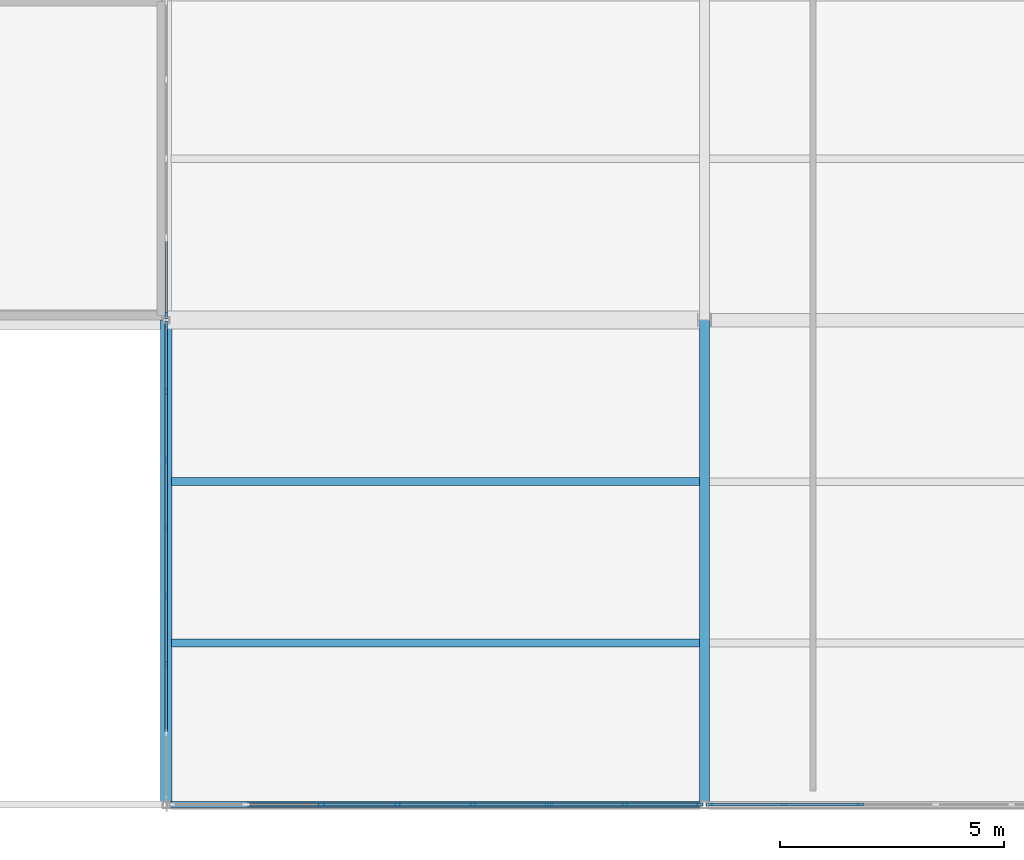
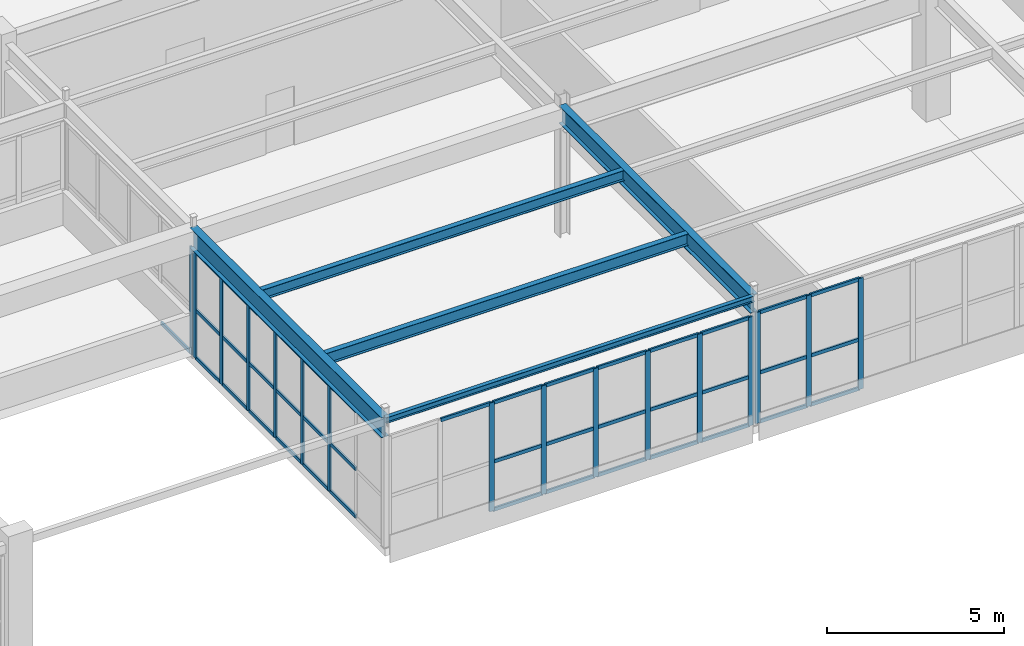
# One storey, part 106 of 226: 57 members, 5 beams, 4 elements without a shape of their own.
"""IFC4 building model written with IfcOpenShell, lengths in metres."""

from ifc_helpers import new_model, si_unit, direction, frame, origin, origin_2d, place, context, subcontext, project, spatial, rectangle, i_section, extrude, material, layer, layer_set, material_profile, profile_set, type_object, element, aggregate, save


model = new_model("IFC4")

# Units and contexts
model_context = context("Model", 3, precision=1e-05, world=origin(), true_north=direction((0.0, 1.0)))
body_context = subcontext(model_context, "Body", "Model", "MODEL_VIEW")
ifc_project = project(units=[si_unit("LENGTHUNIT", "METRE"), si_unit("AREAUNIT", "SQUARE_METRE"), si_unit("VOLUMEUNIT", "CUBIC_METRE"), si_unit("PLANEANGLEUNIT", "RADIAN"), si_unit("MASSUNIT", "GRAM", prefix="KILO")], contexts=[model_context])

# Site, building, storey
site_placement = place(None, origin())
site = spatial("IfcSite", under=ifc_project, at=site_placement, CompositionType="ELEMENT")
building_placement = place(site_placement, origin())
building = spatial("IfcBuilding", under=site, at=building_placement, Name="Tarnwether General Hospital", CompositionType="ELEMENT")
storey_placement = place(building_placement, frame((0.0, 0.0, 4.800048828125)))
storey = spatial("IfcBuildingStorey", under=building, at=storey_placement, Name="L01", CompositionType="ELEMENT", Elevation=4.800048828125)

# Beams
ifc_material_1 = material(Name="Steel Grade 350 (350 MPa)", Category="steel")
ifc_material_profile_1 = material_profile(ifc_material_1, i_section(OverallWidth=0.25, OverallDepth=0.69189453125, WebThickness=0.009033203125, FlangeThickness=0.01611328125, at=origin_2d()), Name="700WB115")
ifc_profile_set_1 = profile_set([ifc_material_profile_1], Name="Steel Grade 350 (350 MPa)")
beam_type_1 = type_object("IfcBeamType", Name="BM-G02", PredefinedType="BEAM", material=ifc_profile_set_1)
beam_1_placement = place(storey_placement, frame((144.0, 0.0, 4.098876953125), z_axis=(0.0, 1.0, 0.0), x_axis=(-1.0, 0.0, 0.0)))
element("IfcBeam", 1, at=beam_1_placement, inside=storey, type_object=beam_type_1, Name="Primary Girder BMG-L01-14400_0-14400_1080-1211", PredefinedType="BEAM", context=body_context, shape_type="SweptSolid", body=[
    extrude(i_section(OverallWidth=0.25, OverallDepth=0.69189453125, WebThickness=0.009033203125, FlangeThickness=0.01611328125, at=origin_2d()), origin(), (0.0, 0.0, 1.0), 10.800048828125),
])
ifc_material_2 = material(Name="Steel Grade 350 (350 MPa)", Category="steel")
ifc_material_profile_2 = material_profile(ifc_material_2, i_section(OverallWidth=0.22900390625, OverallDepth=0.612060546875, WebThickness=0.011962890625, FlangeThickness=0.01953125, at=origin_2d()), Name="610UB125")
ifc_profile_set_2 = profile_set([ifc_material_profile_2], Name="Steel Grade 350 (350 MPa)")
beam_type_2 = type_object("IfcBeamType", Name="BM-G03", PredefinedType="BEAM", material=ifc_profile_set_2)
beam_2_placement = place(storey_placement, frame((156.0, 0.0, 4.138916015625), z_axis=(0.0, 1.0, 0.0), x_axis=(-1.0, 0.0, 0.0)))
element("IfcBeam", 2, at=beam_2_placement, inside=storey, type_object=beam_type_2, Name="Primary Girder BMG-L01-15600_0-15600_1080-1232", PredefinedType="BEAM", context=body_context, shape_type="SweptSolid", body=[
    extrude(i_section(OverallWidth=0.22900390625, OverallDepth=0.612060546875, WebThickness=0.011962890625, FlangeThickness=0.01953125, at=origin_2d()), origin(), (0.0, 0.0, 1.0), 10.800048828125),
])
ifc_material_3 = material(Name="Steel Grade 350 (350 MPa)", Category="steel")
ifc_material_profile_3 = material_profile(ifc_material_3, i_section(OverallWidth=0.177978515625, OverallDepth=0.403076171875, WebThickness=0.007568359375, FlangeThickness=0.010986328125, at=origin_2d()), Name="410UB53.7")
ifc_profile_set_3 = profile_set([ifc_material_profile_3], Name="Steel Grade 350 (350 MPa)")
beam_type_3 = type_object("IfcBeamType", Name="BM-J02", PredefinedType="JOIST", material=ifc_profile_set_3)
beam_3_placement = place(storey_placement, frame((144.118896484375, 3.60009765625, 4.243408203125), z_axis=(1.0, 0.0, 0.0), x_axis=(0.0, 1.0, 0.0)))
element("IfcBeam", 3, at=beam_3_placement, inside=storey, type_object=beam_type_3, Name="Composite Floor Joist BMG-L01-14412_360-15589_360-1385", PredefinedType="JOIST", context=body_context, shape_type="SweptSolid", body=[
    extrude(i_section(OverallWidth=0.177978515625, OverallDepth=0.403076171875, WebThickness=0.007568359375, FlangeThickness=0.010986328125, at=origin_2d()), origin(), (0.0, 0.0, 1.0), 11.773193359375),
])
ifc_material_4 = material(Name="Steel Grade 350 (350 MPa)", Category="steel")
ifc_material_profile_4 = material_profile(ifc_material_4, i_section(OverallWidth=0.172119140625, OverallDepth=0.35888671875, WebThickness=0.008056640625, FlangeThickness=0.012939453125, at=origin_2d()), Name="360UB56.7")
ifc_profile_set_4 = profile_set([ifc_material_profile_4], Name="Steel Grade 350 (350 MPa)")
beam_type_4 = type_object("IfcBeamType", Name="BM-J03", PredefinedType="JOIST", material=ifc_profile_set_4)
beam_4_placement = place(storey_placement, frame((144.118896484375, 7.199951171875, 4.265380859375), z_axis=(1.0, 0.0, 0.0), x_axis=(0.0, 1.0, 0.0)))
element("IfcBeam", 4, at=beam_4_placement, inside=storey, type_object=beam_type_4, Name="Composite Floor Joist BMG-L01-14412_720-15589_720-1386", PredefinedType="JOIST", context=body_context, shape_type="SweptSolid", body=[
    extrude(i_section(OverallWidth=0.172119140625, OverallDepth=0.35888671875, WebThickness=0.008056640625, FlangeThickness=0.012939453125, at=origin_2d()), origin(), (0.0, 0.0, 1.0), 11.773193359375),
])
ifc_material_5 = material(Name="Steel Grade 350 (350 MPa)", Category="steel")
ifc_material_profile_5 = material_profile(ifc_material_5, i_section(OverallWidth=0.133056640625, OverallDepth=0.202880859375, WebThickness=0.005859375, FlangeThickness=0.0078125, at=origin_2d()), Name="200UB25.4")
ifc_profile_set_5 = profile_set([ifc_material_profile_5], Name="Steel Grade 350 (350 MPa)")
beam_type_5 = type_object("IfcBeamType", Name="BM-SP5", PredefinedType="SPANDREL", material=ifc_profile_set_5)
beam_5_placement = place(storey_placement, frame((144.0, 0.0, 4.343505859375), z_axis=(1.0, 0.0, 0.0), x_axis=(0.0, 1.0, 0.0)))
element("IfcBeam", 5, at=beam_5_placement, inside=storey, type_object=beam_type_5, Name="Primary Girder BMG-L01-14400_0-15600_0-1210", PredefinedType="SPANDREL", context=body_context, shape_type="SweptSolid", body=[
    extrude(i_section(OverallWidth=0.133056640625, OverallDepth=0.202880859375, WebThickness=0.005859375, FlangeThickness=0.0078125, at=origin_2d()), origin(), (0.0, 0.0, 1.0), 12.0),
])

# Curtain wall, members
ifc_material_6 = material(Name="Anodised aluminium", Category="aluminium")
ifc_layer_1 = layer(ifc_material_6, 0.159912109375)
ifc_layer_set_1 = layer_set([ifc_layer_1], Name="Anodised aluminium")
curtain_wall_type_1 = type_object("IfcCurtainWallType", Name="CW-15", PredefinedType="NOTDEFINED", material=ifc_layer_set_1)
curtain_wall_1_placement = place(storey_placement, origin())
curtain_wall_1 = element("IfcCurtainWall", 6, at=curtain_wall_1_placement, inside=storey, type_object=curtain_wall_type_1, Name="Curtain Wall CWG-L01-1440_1-0363", PredefinedType="NOTDEFINED")
ifc_material_7 = material(Name="Anodised aluminium", Category="aluminium")
ifc_material_profile_6 = material_profile(ifc_material_7, rectangle(XDim=0.06005859375, YDim=0.159912109375, at=origin_2d()), Name="ALU-MUL-60x160")
ifc_profile_set_6 = profile_set([ifc_material_profile_6], Name="Anodised aluminium")
member_type_1 = type_object("IfcMemberType", Name="CW-ML1", PredefinedType="MULLION", material=ifc_profile_set_6)
member_1_placement = place(storey_placement, frame((144.0, 3.125, 0.0), z_axis=(0.0, 0.0, 1.0), x_axis=(-1.0, 0.0, 0.0)))
member_1 = element("IfcMember", 7, at=member_1_placement, type_object=member_type_1, Name="CW-15 mullion 3", PredefinedType="MULLION", context=body_context, shape_type="SweptSolid", body=[
    extrude(rectangle(XDim=0.06005859375, YDim=0.159912109375, at=origin_2d()), origin(), (0.0, 0.0, 1.0), 3.679931640625),
])
member_2_placement = place(storey_placement, frame((144.0, 4.64599609375, 0.0), z_axis=(0.0, 0.0, 1.0), x_axis=(-1.0, 0.0, 0.0)))
member_2 = element("IfcMember", 8, at=member_2_placement, type_object=member_type_1, Name="CW-15 mullion 4", PredefinedType="MULLION", context=body_context, shape_type="SweptSolid", body=[
    extrude(rectangle(XDim=0.06005859375, YDim=0.159912109375, at=origin_2d()), origin(), (0.0, 0.0, 1.0), 3.679931640625),
])
member_3_placement = place(storey_placement, frame((144.0, 6.1669921875, 0.0), z_axis=(0.0, 0.0, 1.0), x_axis=(-1.0, 0.0, 0.0)))
member_3 = element("IfcMember", 9, at=member_3_placement, type_object=member_type_1, Name="CW-15 mullion 5", PredefinedType="MULLION", context=body_context, shape_type="SweptSolid", body=[
    extrude(rectangle(XDim=0.06005859375, YDim=0.159912109375, at=origin_2d()), origin(), (0.0, 0.0, 1.0), 3.679931640625),
])
member_4_placement = place(storey_placement, frame((144.0, 7.68798828125, 0.0), z_axis=(0.0, 0.0, 1.0), x_axis=(-1.0, 0.0, 0.0)))
member_4 = element("IfcMember", 10, at=member_4_placement, type_object=member_type_1, Name="CW-15 mullion 6", PredefinedType="MULLION", context=body_context, shape_type="SweptSolid", body=[
    extrude(rectangle(XDim=0.06005859375, YDim=0.159912109375, at=origin_2d()), origin(), (0.0, 0.0, 1.0), 3.679931640625),
])
member_5_placement = place(storey_placement, frame((144.0, 9.208984375, 0.0), z_axis=(0.0, 0.0, 1.0), x_axis=(-1.0, 0.0, 0.0)))
member_5 = element("IfcMember", 11, at=member_5_placement, type_object=member_type_1, Name="CW-15 mullion 7", PredefinedType="MULLION", context=body_context, shape_type="SweptSolid", body=[
    extrude(rectangle(XDim=0.06005859375, YDim=0.159912109375, at=origin_2d()), origin(), (0.0, 0.0, 1.0), 3.679931640625),
])
member_6_placement = place(storey_placement, frame((144.0, 10.699951171875, 0.0), z_axis=(0.0, 0.0, 1.0), x_axis=(-1.0, 0.0, 0.0)))
member_6 = element("IfcMember", 12, at=member_6_placement, type_object=member_type_1, Name="CW-15 mullion 8", PredefinedType="MULLION", context=body_context, shape_type="SweptSolid", body=[
    extrude(rectangle(XDim=0.06005859375, YDim=0.159912109375, at=origin_2d()), origin(), (0.0, 0.0, 1.0), 3.679931640625),
])

# Curtain wall, member
curtain_wall_2_placement = place(storey_placement, origin())
curtain_wall_2 = element("IfcCurtainWall", 13, at=curtain_wall_2_placement, inside=storey, type_object=curtain_wall_type_1, Name="Curtain Wall CWG-L01-1440_109-0364", PredefinedType="NOTDEFINED")
member_7_placement = place(storey_placement, frame((144.0, 10.89990234375, 0.0), z_axis=(0.0, 0.0, 1.0), x_axis=(-1.0, 0.0, 0.0)))
member_7 = element("IfcMember", 14, at=member_7_placement, type_object=member_type_1, Name="CW-15 mullion 1", PredefinedType="MULLION", context=body_context, shape_type="SweptSolid", body=[
    extrude(rectangle(XDim=0.06005859375, YDim=0.159912109375, at=origin_2d()), origin(), (0.0, 0.0, 1.0), 3.679931640625),
])

# Curtain wall, members
ifc_material_8 = material(Name="Anodised aluminium", Category="aluminium")
ifc_layer_2 = layer(ifc_material_8, 0.159912109375)
ifc_layer_set_2 = layer_set([ifc_layer_2], Name="Anodised aluminium")
curtain_wall_type_2 = type_object("IfcCurtainWallType", Name="CW-19", PredefinedType="NOTDEFINED", material=ifc_layer_set_2)
curtain_wall_3_placement = place(storey_placement, origin())
curtain_wall_3 = element("IfcCurtainWall", 15, at=curtain_wall_3_placement, inside=storey, type_object=curtain_wall_type_2, Name="Curtain Wall CWG-L01-1679_0-0385", PredefinedType="NOTDEFINED")
member_8_placement = place(storey_placement, frame((159.4638671875, 0.0, 0.0), z_axis=(0.0, 0.0, 1.0), x_axis=(0.0, -1.0, 0.0)))
member_8 = element("IfcMember", 16, at=member_8_placement, type_object=member_type_1, Name="CW-19 mullion 6", PredefinedType="MULLION", context=body_context, shape_type="SweptSolid", body=[
    extrude(rectangle(XDim=0.06005859375, YDim=0.159912109375, at=origin_2d()), origin(), (0.0, 0.0, 1.0), 3.81787109375),
])
member_9_placement = place(storey_placement, frame((157.7734375, 0.0, 0.0), z_axis=(0.0, 0.0, 1.0), x_axis=(0.0, -1.0, 0.0)))
member_9 = element("IfcMember", 17, at=member_9_placement, type_object=member_type_1, Name="CW-19 mullion 7", PredefinedType="MULLION", context=body_context, shape_type="SweptSolid", body=[
    extrude(rectangle(XDim=0.06005859375, YDim=0.159912109375, at=origin_2d()), origin(), (0.0, 0.0, 1.0), 3.81787109375),
])
member_10_placement = place(storey_placement, frame((156.113037109375, 0.0, 0.0), z_axis=(0.0, 0.0, 1.0), x_axis=(0.0, -1.0, 0.0)))
member_10 = element("IfcMember", 18, at=member_10_placement, type_object=member_type_1, Name="CW-19 mullion 8", PredefinedType="MULLION", context=body_context, shape_type="SweptSolid", body=[
    extrude(rectangle(XDim=0.06005859375, YDim=0.159912109375, at=origin_2d()), origin(), (0.0, 0.0, 1.0), 3.81787109375),
])

curtain_wall_4_placement = place(storey_placement, origin())
curtain_wall_4 = element("IfcCurtainWall", 19, at=curtain_wall_4_placement, inside=storey, type_object=curtain_wall_type_2, Name="Curtain Wall CWG-L01-1559_0-0386", PredefinedType="NOTDEFINED")
member_11_placement = place(storey_placement, frame((155.886962890625, 0.0, 0.0), z_axis=(0.0, 0.0, 1.0), x_axis=(0.0, -1.0, 0.0)))
member_11 = element("IfcMember", 20, at=member_11_placement, type_object=member_type_1, Name="CW-19 mullion 1", PredefinedType="MULLION", context=body_context, shape_type="SweptSolid", body=[
    extrude(rectangle(XDim=0.06005859375, YDim=0.159912109375, at=origin_2d()), origin(), (0.0, 0.0, 1.0), 3.738037109375),
])
member_12_placement = place(storey_placement, frame((154.226318359375, 0.0, 0.0), z_axis=(0.0, 0.0, 1.0), x_axis=(0.0, -1.0, 0.0)))
member_12 = element("IfcMember", 21, at=member_12_placement, type_object=member_type_1, Name="CW-19 mullion 2", PredefinedType="MULLION", context=body_context, shape_type="SweptSolid", body=[
    extrude(rectangle(XDim=0.06005859375, YDim=0.159912109375, at=origin_2d()), origin(), (0.0, 0.0, 1.0), 3.738037109375),
])
member_13_placement = place(storey_placement, frame((152.535888671875, 0.0, 0.0), z_axis=(0.0, 0.0, 1.0), x_axis=(0.0, -1.0, 0.0)))
member_13 = element("IfcMember", 22, at=member_13_placement, type_object=member_type_1, Name="CW-19 mullion 3", PredefinedType="MULLION", context=body_context, shape_type="SweptSolid", body=[
    extrude(rectangle(XDim=0.06005859375, YDim=0.159912109375, at=origin_2d()), origin(), (0.0, 0.0, 1.0), 3.738037109375),
])
member_14_placement = place(storey_placement, frame((150.84521484375, 0.0, 0.0), z_axis=(0.0, 0.0, 1.0), x_axis=(0.0, -1.0, 0.0)))
member_14 = element("IfcMember", 23, at=member_14_placement, type_object=member_type_1, Name="CW-19 mullion 4", PredefinedType="MULLION", context=body_context, shape_type="SweptSolid", body=[
    extrude(rectangle(XDim=0.06005859375, YDim=0.159912109375, at=origin_2d()), origin(), (0.0, 0.0, 1.0), 3.738037109375),
])
member_15_placement = place(storey_placement, frame((149.15478515625, 0.0, 0.0), z_axis=(0.0, 0.0, 1.0), x_axis=(0.0, -1.0, 0.0)))
member_15 = element("IfcMember", 24, at=member_15_placement, type_object=member_type_1, Name="CW-19 mullion 5", PredefinedType="MULLION", context=body_context, shape_type="SweptSolid", body=[
    extrude(rectangle(XDim=0.06005859375, YDim=0.159912109375, at=origin_2d()), origin(), (0.0, 0.0, 1.0), 3.738037109375),
])
member_16_placement = place(storey_placement, frame((147.464111328125, 0.0, 0.0), z_axis=(0.0, 0.0, 1.0), x_axis=(0.0, -1.0, 0.0)))
member_16 = element("IfcMember", 25, at=member_16_placement, type_object=member_type_1, Name="CW-19 mullion 6", PredefinedType="MULLION", context=body_context, shape_type="SweptSolid", body=[
    extrude(rectangle(XDim=0.06005859375, YDim=0.159912109375, at=origin_2d()), origin(), (0.0, 0.0, 1.0), 3.738037109375),
])

# Member
ifc_material_9 = material(Name="Anodised aluminium", Category="aluminium")
ifc_material_profile_7 = material_profile(ifc_material_9, rectangle(XDim=0.06005859375, YDim=0.1201171875, at=origin_2d()), Name="ALU-TRN-60x120")
ifc_profile_set_7 = profile_set([ifc_material_profile_7], Name="Anodised aluminium")
member_type_2 = type_object("IfcMemberType", Name="CW-TR1", PredefinedType="USERDEFINED", material=ifc_profile_set_7)
member_17_placement = place(storey_placement, frame((144.0, 1.634033203125, 0.030029296875), z_axis=(0.0, 1.0, 0.0), x_axis=(-1.0, 0.0, 0.0)))
member_17 = element("IfcMember", 26, at=member_17_placement, type_object=member_type_2, Name="CW-15 transom 2.1", ObjectType="TRANSOM", PredefinedType="USERDEFINED", context=body_context, shape_type="SweptSolid", body=[
    extrude(rectangle(XDim=0.06005859375, YDim=0.1201171875, at=origin_2d()), origin(), (0.0, 0.0, 1.0), 1.4609375),
])

member_18_placement = place(storey_placement, frame((144.0, 1.634033203125, 1.656005859375), z_axis=(0.0, 1.0, 0.0), x_axis=(-1.0, 0.0, 0.0)))
member_18 = element("IfcMember", 27, at=member_18_placement, type_object=member_type_2, Name="CW-15 transom 2.2", ObjectType="TRANSOM", PredefinedType="USERDEFINED", context=body_context, shape_type="SweptSolid", body=[
    extrude(rectangle(XDim=0.06005859375, YDim=0.1201171875, at=origin_2d()), origin(), (0.0, 0.0, 1.0), 1.4609375),
])

member_19_placement = place(storey_placement, frame((144.0, 1.634033203125, 3.64990234375), z_axis=(0.0, 1.0, 0.0), x_axis=(-1.0, 0.0, 0.0)))
member_19 = element("IfcMember", 28, at=member_19_placement, type_object=member_type_2, Name="CW-15 transom 2.3", ObjectType="TRANSOM", PredefinedType="USERDEFINED", context=body_context, shape_type="SweptSolid", body=[
    extrude(rectangle(XDim=0.06005859375, YDim=0.1201171875, at=origin_2d()), origin(), (0.0, 0.0, 1.0), 1.4609375),
])

member_20_placement = place(storey_placement, frame((144.0, 3.155029296875, 0.030029296875), z_axis=(0.0, 1.0, 0.0), x_axis=(-1.0, 0.0, 0.0)))
member_20 = element("IfcMember", 29, at=member_20_placement, type_object=member_type_2, Name="CW-15 transom 3.1", ObjectType="TRANSOM", PredefinedType="USERDEFINED", context=body_context, shape_type="SweptSolid", body=[
    extrude(rectangle(XDim=0.06005859375, YDim=0.1201171875, at=origin_2d()), origin(), (0.0, 0.0, 1.0), 1.4609375),
])

member_21_placement = place(storey_placement, frame((144.0, 3.155029296875, 1.656005859375), z_axis=(0.0, 1.0, 0.0), x_axis=(-1.0, 0.0, 0.0)))
member_21 = element("IfcMember", 30, at=member_21_placement, type_object=member_type_2, Name="CW-15 transom 3.2", ObjectType="TRANSOM", PredefinedType="USERDEFINED", context=body_context, shape_type="SweptSolid", body=[
    extrude(rectangle(XDim=0.06005859375, YDim=0.1201171875, at=origin_2d()), origin(), (0.0, 0.0, 1.0), 1.4609375),
])

member_22_placement = place(storey_placement, frame((144.0, 3.155029296875, 3.64990234375), z_axis=(0.0, 1.0, 0.0), x_axis=(-1.0, 0.0, 0.0)))
member_22 = element("IfcMember", 31, at=member_22_placement, type_object=member_type_2, Name="CW-15 transom 3.3", ObjectType="TRANSOM", PredefinedType="USERDEFINED", context=body_context, shape_type="SweptSolid", body=[
    extrude(rectangle(XDim=0.06005859375, YDim=0.1201171875, at=origin_2d()), origin(), (0.0, 0.0, 1.0), 1.4609375),
])

member_23_placement = place(storey_placement, frame((144.0, 4.676025390625, 0.030029296875), z_axis=(0.0, 1.0, 0.0), x_axis=(-1.0, 0.0, 0.0)))
member_23 = element("IfcMember", 32, at=member_23_placement, type_object=member_type_2, Name="CW-15 transom 4.1", ObjectType="TRANSOM", PredefinedType="USERDEFINED", context=body_context, shape_type="SweptSolid", body=[
    extrude(rectangle(XDim=0.06005859375, YDim=0.1201171875, at=origin_2d()), origin(), (0.0, 0.0, 1.0), 1.4609375),
])

member_24_placement = place(storey_placement, frame((144.0, 4.676025390625, 1.656005859375), z_axis=(0.0, 1.0, 0.0), x_axis=(-1.0, 0.0, 0.0)))
member_24 = element("IfcMember", 33, at=member_24_placement, type_object=member_type_2, Name="CW-15 transom 4.2", ObjectType="TRANSOM", PredefinedType="USERDEFINED", context=body_context, shape_type="SweptSolid", body=[
    extrude(rectangle(XDim=0.06005859375, YDim=0.1201171875, at=origin_2d()), origin(), (0.0, 0.0, 1.0), 1.4609375),
])

member_25_placement = place(storey_placement, frame((144.0, 4.676025390625, 3.64990234375), z_axis=(0.0, 1.0, 0.0), x_axis=(-1.0, 0.0, 0.0)))
member_25 = element("IfcMember", 34, at=member_25_placement, type_object=member_type_2, Name="CW-15 transom 4.3", ObjectType="TRANSOM", PredefinedType="USERDEFINED", context=body_context, shape_type="SweptSolid", body=[
    extrude(rectangle(XDim=0.06005859375, YDim=0.1201171875, at=origin_2d()), origin(), (0.0, 0.0, 1.0), 1.4609375),
])

member_26_placement = place(storey_placement, frame((144.0, 6.197021484375, 0.030029296875), z_axis=(0.0, 1.0, 0.0), x_axis=(-1.0, 0.0, 0.0)))
member_26 = element("IfcMember", 35, at=member_26_placement, type_object=member_type_2, Name="CW-15 transom 5.1", ObjectType="TRANSOM", PredefinedType="USERDEFINED", context=body_context, shape_type="SweptSolid", body=[
    extrude(rectangle(XDim=0.06005859375, YDim=0.1201171875, at=origin_2d()), origin(), (0.0, 0.0, 1.0), 1.4609375),
])

member_27_placement = place(storey_placement, frame((144.0, 6.197021484375, 1.656005859375), z_axis=(0.0, 1.0, 0.0), x_axis=(-1.0, 0.0, 0.0)))
member_27 = element("IfcMember", 36, at=member_27_placement, type_object=member_type_2, Name="CW-15 transom 5.2", ObjectType="TRANSOM", PredefinedType="USERDEFINED", context=body_context, shape_type="SweptSolid", body=[
    extrude(rectangle(XDim=0.06005859375, YDim=0.1201171875, at=origin_2d()), origin(), (0.0, 0.0, 1.0), 1.4609375),
])

member_28_placement = place(storey_placement, frame((144.0, 6.197021484375, 3.64990234375), z_axis=(0.0, 1.0, 0.0), x_axis=(-1.0, 0.0, 0.0)))
member_28 = element("IfcMember", 37, at=member_28_placement, type_object=member_type_2, Name="CW-15 transom 5.3", ObjectType="TRANSOM", PredefinedType="USERDEFINED", context=body_context, shape_type="SweptSolid", body=[
    extrude(rectangle(XDim=0.06005859375, YDim=0.1201171875, at=origin_2d()), origin(), (0.0, 0.0, 1.0), 1.4609375),
])

member_29_placement = place(storey_placement, frame((144.0, 7.718017578125, 0.030029296875), z_axis=(0.0, 1.0, 0.0), x_axis=(-1.0, 0.0, 0.0)))
member_29 = element("IfcMember", 38, at=member_29_placement, type_object=member_type_2, Name="CW-15 transom 6.1", ObjectType="TRANSOM", PredefinedType="USERDEFINED", context=body_context, shape_type="SweptSolid", body=[
    extrude(rectangle(XDim=0.06005859375, YDim=0.1201171875, at=origin_2d()), origin(), (0.0, 0.0, 1.0), 1.4609375),
])

member_30_placement = place(storey_placement, frame((144.0, 7.718017578125, 1.656005859375), z_axis=(0.0, 1.0, 0.0), x_axis=(-1.0, 0.0, 0.0)))
member_30 = element("IfcMember", 39, at=member_30_placement, type_object=member_type_2, Name="CW-15 transom 6.2", ObjectType="TRANSOM", PredefinedType="USERDEFINED", context=body_context, shape_type="SweptSolid", body=[
    extrude(rectangle(XDim=0.06005859375, YDim=0.1201171875, at=origin_2d()), origin(), (0.0, 0.0, 1.0), 1.4609375),
])

member_31_placement = place(storey_placement, frame((144.0, 7.718017578125, 3.64990234375), z_axis=(0.0, 1.0, 0.0), x_axis=(-1.0, 0.0, 0.0)))
member_31 = element("IfcMember", 40, at=member_31_placement, type_object=member_type_2, Name="CW-15 transom 6.3", ObjectType="TRANSOM", PredefinedType="USERDEFINED", context=body_context, shape_type="SweptSolid", body=[
    extrude(rectangle(XDim=0.06005859375, YDim=0.1201171875, at=origin_2d()), origin(), (0.0, 0.0, 1.0), 1.4609375),
])

member_32_placement = place(storey_placement, frame((144.0, 9.239013671875, 0.030029296875), z_axis=(0.0, 1.0, 0.0), x_axis=(-1.0, 0.0, 0.0)))
member_32 = element("IfcMember", 41, at=member_32_placement, type_object=member_type_2, Name="CW-15 transom 7.1", ObjectType="TRANSOM", PredefinedType="USERDEFINED", context=body_context, shape_type="SweptSolid", body=[
    extrude(rectangle(XDim=0.06005859375, YDim=0.1201171875, at=origin_2d()), origin(), (0.0, 0.0, 1.0), 1.430908203125),
])

member_33_placement = place(storey_placement, frame((144.0, 9.239013671875, 1.656005859375), z_axis=(0.0, 1.0, 0.0), x_axis=(-1.0, 0.0, 0.0)))
member_33 = element("IfcMember", 42, at=member_33_placement, type_object=member_type_2, Name="CW-15 transom 7.2", ObjectType="TRANSOM", PredefinedType="USERDEFINED", context=body_context, shape_type="SweptSolid", body=[
    extrude(rectangle(XDim=0.06005859375, YDim=0.1201171875, at=origin_2d()), origin(), (0.0, 0.0, 1.0), 1.430908203125),
])

member_34_placement = place(storey_placement, frame((144.0, 9.239013671875, 3.64990234375), z_axis=(0.0, 1.0, 0.0), x_axis=(-1.0, 0.0, 0.0)))
member_34 = element("IfcMember", 43, at=member_34_placement, type_object=member_type_2, Name="CW-15 transom 7.3", ObjectType="TRANSOM", PredefinedType="USERDEFINED", context=body_context, shape_type="SweptSolid", body=[
    extrude(rectangle(XDim=0.06005859375, YDim=0.1201171875, at=origin_2d()), origin(), (0.0, 0.0, 1.0), 1.430908203125),
])

aggregate(curtain_wall_1, [member_1, member_2, member_3, member_4, member_5, member_6, member_17, member_18, member_19, member_20, member_21, member_22, member_23, member_24, member_25, member_26, member_27, member_28, member_29, member_30, member_31, member_32, member_33, member_34])

member_35_placement = place(storey_placement, frame((144.0, 10.929931640625, 0.030029296875), z_axis=(0.0, 1.0, 0.0), x_axis=(-1.0, 0.0, 0.0)))
member_35 = element("IfcMember", 44, at=member_35_placement, type_object=member_type_2, Name="CW-15 transom 1.1", ObjectType="TRANSOM", PredefinedType="USERDEFINED", context=body_context, shape_type="SweptSolid", body=[
    extrude(rectangle(XDim=0.06005859375, YDim=0.1201171875, at=origin_2d()), origin(), (0.0, 0.0, 1.0), 1.675048828125),
])

aggregate(curtain_wall_2, [member_7, member_35])

member_36_placement = place(storey_placement, frame((159.433837890625, 0.0, 0.030029296875), z_axis=(-1.0, 0.0, 0.0), x_axis=(0.0, -1.0, 0.0)))
member_36 = element("IfcMember", 45, at=member_36_placement, type_object=member_type_2, Name="CW-19 transom 6.1", ObjectType="TRANSOM", PredefinedType="USERDEFINED", context=body_context, shape_type="SweptSolid", body=[
    extrude(rectangle(XDim=0.06005859375, YDim=0.1201171875, at=origin_2d()), origin(), (0.0, 0.0, 1.0), 1.63037109375),
])

member_37_placement = place(storey_placement, frame((159.433837890625, 0.0, 1.718017578125), z_axis=(-1.0, 0.0, 0.0), x_axis=(0.0, -1.0, 0.0)))
member_37 = element("IfcMember", 46, at=member_37_placement, type_object=member_type_2, Name="CW-19 transom 6.2", ObjectType="TRANSOM", PredefinedType="USERDEFINED", context=body_context, shape_type="SweptSolid", body=[
    extrude(rectangle(XDim=0.06005859375, YDim=0.1201171875, at=origin_2d()), origin(), (0.0, 0.0, 1.0), 1.63037109375),
])

member_38_placement = place(storey_placement, frame((159.433837890625, 0.0, 3.787841796875), z_axis=(-1.0, 0.0, 0.0), x_axis=(0.0, -1.0, 0.0)))
member_38 = element("IfcMember", 47, at=member_38_placement, type_object=member_type_2, Name="CW-19 transom 6.3", ObjectType="TRANSOM", PredefinedType="USERDEFINED", context=body_context, shape_type="SweptSolid", body=[
    extrude(rectangle(XDim=0.06005859375, YDim=0.1201171875, at=origin_2d()), origin(), (0.0, 0.0, 1.0), 1.63037109375),
])

member_39_placement = place(storey_placement, frame((157.743408203125, 0.0, 0.030029296875), z_axis=(-1.0, 0.0, 0.0), x_axis=(0.0, -1.0, 0.0)))
member_39 = element("IfcMember", 48, at=member_39_placement, type_object=member_type_2, Name="CW-19 transom 7.1", ObjectType="TRANSOM", PredefinedType="USERDEFINED", context=body_context, shape_type="SweptSolid", body=[
    extrude(rectangle(XDim=0.06005859375, YDim=0.1201171875, at=origin_2d()), origin(), (0.0, 0.0, 1.0), 1.600341796875),
])

member_40_placement = place(storey_placement, frame((157.743408203125, 0.0, 1.718017578125), z_axis=(-1.0, 0.0, 0.0), x_axis=(0.0, -1.0, 0.0)))
member_40 = element("IfcMember", 49, at=member_40_placement, type_object=member_type_2, Name="CW-19 transom 7.2", ObjectType="TRANSOM", PredefinedType="USERDEFINED", context=body_context, shape_type="SweptSolid", body=[
    extrude(rectangle(XDim=0.06005859375, YDim=0.1201171875, at=origin_2d()), origin(), (0.0, 0.0, 1.0), 1.600341796875),
])

member_41_placement = place(storey_placement, frame((157.743408203125, 0.0, 3.787841796875), z_axis=(-1.0, 0.0, 0.0), x_axis=(0.0, -1.0, 0.0)))
member_41 = element("IfcMember", 50, at=member_41_placement, type_object=member_type_2, Name="CW-19 transom 7.3", ObjectType="TRANSOM", PredefinedType="USERDEFINED", context=body_context, shape_type="SweptSolid", body=[
    extrude(rectangle(XDim=0.06005859375, YDim=0.1201171875, at=origin_2d()), origin(), (0.0, 0.0, 1.0), 1.600341796875),
])

aggregate(curtain_wall_3, [member_8, member_9, member_10, member_36, member_37, member_38, member_39, member_40, member_41])

member_42_placement = place(storey_placement, frame((155.85693359375, 0.0, 0.030029296875), z_axis=(-1.0, 0.0, 0.0), x_axis=(0.0, -1.0, 0.0)))
member_42 = element("IfcMember", 51, at=member_42_placement, type_object=member_type_2, Name="CW-19 transom 1.1", ObjectType="TRANSOM", PredefinedType="USERDEFINED", context=body_context, shape_type="SweptSolid", body=[
    extrude(rectangle(XDim=0.06005859375, YDim=0.1201171875, at=origin_2d()), origin(), (0.0, 0.0, 1.0), 1.6005859375),
])

member_43_placement = place(storey_placement, frame((155.85693359375, 0.0, 1.68212890625), z_axis=(-1.0, 0.0, 0.0), x_axis=(0.0, -1.0, 0.0)))
member_43 = element("IfcMember", 52, at=member_43_placement, type_object=member_type_2, Name="CW-19 transom 1.2", ObjectType="TRANSOM", PredefinedType="USERDEFINED", context=body_context, shape_type="SweptSolid", body=[
    extrude(rectangle(XDim=0.06005859375, YDim=0.1201171875, at=origin_2d()), origin(), (0.0, 0.0, 1.0), 1.6005859375),
])

member_44_placement = place(storey_placement, frame((155.85693359375, 0.0, 3.7080078125), z_axis=(-1.0, 0.0, 0.0), x_axis=(0.0, -1.0, 0.0)))
member_44 = element("IfcMember", 53, at=member_44_placement, type_object=member_type_2, Name="CW-19 transom 1.3", ObjectType="TRANSOM", PredefinedType="USERDEFINED", context=body_context, shape_type="SweptSolid", body=[
    extrude(rectangle(XDim=0.06005859375, YDim=0.1201171875, at=origin_2d()), origin(), (0.0, 0.0, 1.0), 1.6005859375),
])

member_45_placement = place(storey_placement, frame((154.196533203125, 0.0, 0.030029296875), z_axis=(-1.0, 0.0, 0.0), x_axis=(0.0, -1.0, 0.0)))
member_45 = element("IfcMember", 54, at=member_45_placement, type_object=member_type_2, Name="CW-19 transom 2.1", ObjectType="TRANSOM", PredefinedType="USERDEFINED", context=body_context, shape_type="SweptSolid", body=[
    extrude(rectangle(XDim=0.06005859375, YDim=0.1201171875, at=origin_2d()), origin(), (0.0, 0.0, 1.0), 1.630615234375),
])

member_46_placement = place(storey_placement, frame((154.196533203125, 0.0, 1.68212890625), z_axis=(-1.0, 0.0, 0.0), x_axis=(0.0, -1.0, 0.0)))
member_46 = element("IfcMember", 55, at=member_46_placement, type_object=member_type_2, Name="CW-19 transom 2.2", ObjectType="TRANSOM", PredefinedType="USERDEFINED", context=body_context, shape_type="SweptSolid", body=[
    extrude(rectangle(XDim=0.06005859375, YDim=0.1201171875, at=origin_2d()), origin(), (0.0, 0.0, 1.0), 1.630615234375),
])

member_47_placement = place(storey_placement, frame((154.196533203125, 0.0, 3.7080078125), z_axis=(-1.0, 0.0, 0.0), x_axis=(0.0, -1.0, 0.0)))
member_47 = element("IfcMember", 56, at=member_47_placement, type_object=member_type_2, Name="CW-19 transom 2.3", ObjectType="TRANSOM", PredefinedType="USERDEFINED", context=body_context, shape_type="SweptSolid", body=[
    extrude(rectangle(XDim=0.06005859375, YDim=0.1201171875, at=origin_2d()), origin(), (0.0, 0.0, 1.0), 1.630615234375),
])

member_48_placement = place(storey_placement, frame((152.505859375, 0.0, 0.030029296875), z_axis=(-1.0, 0.0, 0.0), x_axis=(0.0, -1.0, 0.0)))
member_48 = element("IfcMember", 57, at=member_48_placement, type_object=member_type_2, Name="CW-19 transom 3.1", ObjectType="TRANSOM", PredefinedType="USERDEFINED", context=body_context, shape_type="SweptSolid", body=[
    extrude(rectangle(XDim=0.06005859375, YDim=0.1201171875, at=origin_2d()), origin(), (0.0, 0.0, 1.0), 1.630615234375),
])

member_49_placement = place(storey_placement, frame((152.505859375, 0.0, 1.68212890625), z_axis=(-1.0, 0.0, 0.0), x_axis=(0.0, -1.0, 0.0)))
member_49 = element("IfcMember", 58, at=member_49_placement, type_object=member_type_2, Name="CW-19 transom 3.2", ObjectType="TRANSOM", PredefinedType="USERDEFINED", context=body_context, shape_type="SweptSolid", body=[
    extrude(rectangle(XDim=0.06005859375, YDim=0.1201171875, at=origin_2d()), origin(), (0.0, 0.0, 1.0), 1.630615234375),
])

member_50_placement = place(storey_placement, frame((152.505859375, 0.0, 3.7080078125), z_axis=(-1.0, 0.0, 0.0), x_axis=(0.0, -1.0, 0.0)))
member_50 = element("IfcMember", 59, at=member_50_placement, type_object=member_type_2, Name="CW-19 transom 3.3", ObjectType="TRANSOM", PredefinedType="USERDEFINED", context=body_context, shape_type="SweptSolid", body=[
    extrude(rectangle(XDim=0.06005859375, YDim=0.1201171875, at=origin_2d()), origin(), (0.0, 0.0, 1.0), 1.630615234375),
])

member_51_placement = place(storey_placement, frame((150.815185546875, 0.0, 0.030029296875), z_axis=(-1.0, 0.0, 0.0), x_axis=(0.0, -1.0, 0.0)))
member_51 = element("IfcMember", 60, at=member_51_placement, type_object=member_type_2, Name="CW-19 transom 4.1", ObjectType="TRANSOM", PredefinedType="USERDEFINED", context=body_context, shape_type="SweptSolid", body=[
    extrude(rectangle(XDim=0.06005859375, YDim=0.1201171875, at=origin_2d()), origin(), (0.0, 0.0, 1.0), 1.63037109375),
])

member_52_placement = place(storey_placement, frame((150.815185546875, 0.0, 1.68212890625), z_axis=(-1.0, 0.0, 0.0), x_axis=(0.0, -1.0, 0.0)))
member_52 = element("IfcMember", 61, at=member_52_placement, type_object=member_type_2, Name="CW-19 transom 4.2", ObjectType="TRANSOM", PredefinedType="USERDEFINED", context=body_context, shape_type="SweptSolid", body=[
    extrude(rectangle(XDim=0.06005859375, YDim=0.1201171875, at=origin_2d()), origin(), (0.0, 0.0, 1.0), 1.63037109375),
])

member_53_placement = place(storey_placement, frame((150.815185546875, 0.0, 3.7080078125), z_axis=(-1.0, 0.0, 0.0), x_axis=(0.0, -1.0, 0.0)))
member_53 = element("IfcMember", 62, at=member_53_placement, type_object=member_type_2, Name="CW-19 transom 4.3", ObjectType="TRANSOM", PredefinedType="USERDEFINED", context=body_context, shape_type="SweptSolid", body=[
    extrude(rectangle(XDim=0.06005859375, YDim=0.1201171875, at=origin_2d()), origin(), (0.0, 0.0, 1.0), 1.63037109375),
])

member_54_placement = place(storey_placement, frame((149.124755859375, 0.0, 0.030029296875), z_axis=(-1.0, 0.0, 0.0), x_axis=(0.0, -1.0, 0.0)))
member_54 = element("IfcMember", 63, at=member_54_placement, type_object=member_type_2, Name="CW-19 transom 5.1", ObjectType="TRANSOM", PredefinedType="USERDEFINED", context=body_context, shape_type="SweptSolid", body=[
    extrude(rectangle(XDim=0.06005859375, YDim=0.1201171875, at=origin_2d()), origin(), (0.0, 0.0, 1.0), 1.630615234375),
])

member_55_placement = place(storey_placement, frame((149.124755859375, 0.0, 1.68212890625), z_axis=(-1.0, 0.0, 0.0), x_axis=(0.0, -1.0, 0.0)))
member_55 = element("IfcMember", 64, at=member_55_placement, type_object=member_type_2, Name="CW-19 transom 5.2", ObjectType="TRANSOM", PredefinedType="USERDEFINED", context=body_context, shape_type="SweptSolid", body=[
    extrude(rectangle(XDim=0.06005859375, YDim=0.1201171875, at=origin_2d()), origin(), (0.0, 0.0, 1.0), 1.630615234375),
])

member_56_placement = place(storey_placement, frame((149.124755859375, 0.0, 3.7080078125), z_axis=(-1.0, 0.0, 0.0), x_axis=(0.0, -1.0, 0.0)))
member_56 = element("IfcMember", 65, at=member_56_placement, type_object=member_type_2, Name="CW-19 transom 5.3", ObjectType="TRANSOM", PredefinedType="USERDEFINED", context=body_context, shape_type="SweptSolid", body=[
    extrude(rectangle(XDim=0.06005859375, YDim=0.1201171875, at=origin_2d()), origin(), (0.0, 0.0, 1.0), 1.630615234375),
])

member_57_placement = place(storey_placement, frame((147.43408203125, 0.0, 3.7080078125), z_axis=(-1.0, 0.0, 0.0), x_axis=(0.0, -1.0, 0.0)))
member_57 = element("IfcMember", 66, at=member_57_placement, type_object=member_type_2, Name="CW-19 transom 6.3", ObjectType="TRANSOM", PredefinedType="USERDEFINED", context=body_context, shape_type="SweptSolid", body=[
    extrude(rectangle(XDim=0.06005859375, YDim=0.1201171875, at=origin_2d()), origin(), (0.0, 0.0, 1.0), 1.630615234375),
])

aggregate(curtain_wall_4, [member_11, member_12, member_13, member_14, member_15, member_16, member_42, member_43, member_44, member_45, member_46, member_47, member_48, member_49, member_50, member_51, member_52, member_53, member_54, member_55, member_56, member_57])

save(model, "model.ifc")
